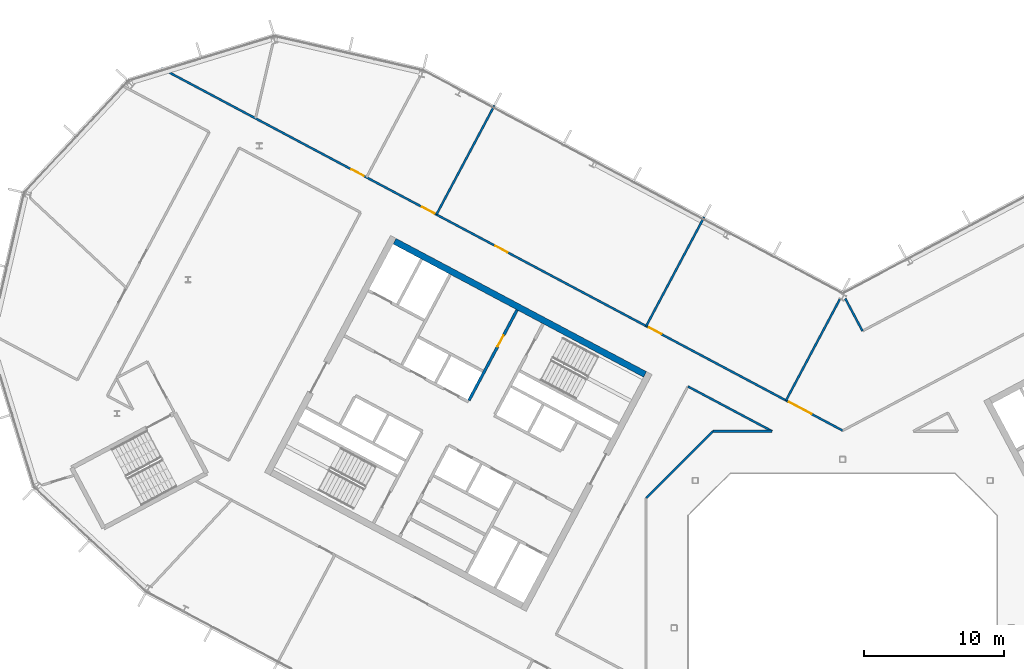
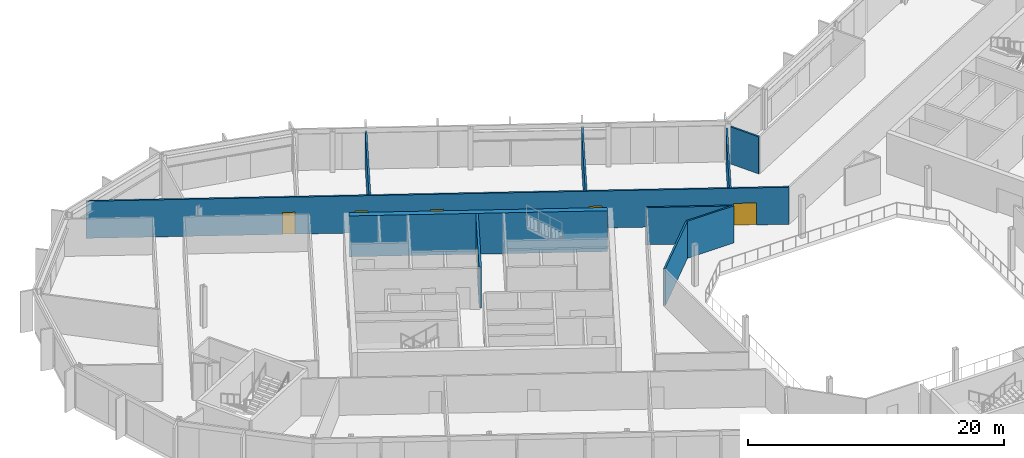
# One storey, part 15 of 26: 10 walls, 6 doors, 6 openings.
"""IFC4 building model written with IfcOpenShell, lengths in metres."""

from ifc_helpers import new_model, si_unit, direction, frame, frame_2d, origin, place, context, subcontext, project, spatial, rectangle, extrude, material, layer, layer_set, type_object, element, fill, save


model = new_model("IFC4")

# Units and contexts
model_context = context("Model", 3, precision=1e-05, world=origin(), true_north=direction((0.0, 1.0)))
body_context = subcontext(model_context, "Body", "Model", "MODEL_VIEW")
ifc_project = project(units=[si_unit("LENGTHUNIT", "METRE"), si_unit("AREAUNIT", "SQUARE_METRE"), si_unit("VOLUMEUNIT", "CUBIC_METRE"), si_unit("PLANEANGLEUNIT", "RADIAN"), si_unit("MASSUNIT", "GRAM", prefix="KILO")], contexts=[model_context])

# Site, building, storey
site_placement = place(None, origin())
site = spatial("IfcSite", under=ifc_project, at=site_placement, CompositionType="ELEMENT")
building_placement = place(site_placement, origin())
building = spatial("IfcBuilding", under=site, at=building_placement, Name="Cormorant Relay Tower", CompositionType="ELEMENT")
storey_placement = place(building_placement, frame((0.0, 0.0, 261.89990234375)))
storey = spatial("IfcBuildingStorey", under=building, at=storey_placement, Name="L58", CompositionType="ELEMENT", Elevation=261.89990234375)

# Wall, opening, door
ifc_material_1 = material(Name="Concrete 50 MPa", Category="concrete")
ifc_layer_1 = layer(ifc_material_1, 0.199951171875)
ifc_layer_set_1 = layer_set([ifc_layer_1], Name="Core shaft wall 200")
wall_type_1 = type_object("IfcWallType", Name="Core shaft wall 200", PredefinedType="SHEAR", material=ifc_layer_set_1)
wall_1_placement = place(storey_placement, frame((-23.1875, 22.635498046875, 0.0), z_axis=(0.0, 0.0, 1.0), x_axis=(-0.469454336211, -0.882956752176, 0.0)))
wall_1 = element("IfcWall", 1, at=wall_1_placement, inside=storey, type_object=wall_type_1, Name="L58 core A shaft wall", PredefinedType="SHEAR", context=body_context, shape_type="SweptSolid", body=[
    extrude(rectangle(XDim=7.300048828125, YDim=0.199951171875, at=frame_2d((3.64990234375, 0.0))), origin(), (0.0, 0.0, 1.0), 3.900146484375),
])
opening_1_placement = place(wall_1_placement, frame((2.050048828125, 0.0, 0.0)))
opening_1 = element("IfcOpeningElement", 2, at=opening_1_placement, cuts=wall_1, Name="Opening CDD-292", PredefinedType="OPENING", context=body_context, shape_type="SweptSolid", body=[
    extrude(rectangle(XDim=0.89990234375, YDim=2.10009765625, at=frame_2d((0.449951171875, 1.050048828125))), frame((0.0, 0.10986328125, 0.0), z_axis=(0.0, -1.0, 0.0), x_axis=(1.0, 0.0, 0.0)), (0.0, 0.0, 1.0), 0.219970703125),
])
ifc_material_2 = material(Name="Steel fire door", Category="steel")
door_type_1 = type_object("IfcDoorType", Name="Core room door 900x2100", OperationType="SINGLE_SWING_LEFT", PredefinedType="DOOR", material=ifc_material_2)
door_1_placement = place(opening_1_placement, origin())
door_1 = element("IfcDoor", 3, at=door_1_placement, inside=storey, type_object=door_type_1, Name="Core room door 900x2100", OperationType="SINGLE_SWING_LEFT", OverallHeight=2.10009765625, OverallWidth=0.89990234375, PredefinedType="DOOR", context=body_context, shape_type="SweptSolid", body=[
    extrude(rectangle(XDim=0.89990234375, YDim=2.10009765625, at=frame_2d((0.449951171875, 1.050048828125))), frame((0.0, 0.02490234375, 0.0), z_axis=(0.0, -1.0, 0.0), x_axis=(1.0, 0.0, 0.0)), (0.0, 0.0, 1.0), 0.050048828125),
])
fill(opening_1, door_1)

# Wall
ifc_material_3 = material(Name="Concrete 50 MPa", Category="concrete")
ifc_layer_2 = layer(ifc_material_3, 0.449951171875)
ifc_layer_set_2 = layer_set([ifc_layer_2], Name="Core wall 450")
wall_type_2 = type_object("IfcWallType", Name="Core wall 450", PredefinedType="SHEAR", material=ifc_layer_set_2)
wall_2_placement = place(storey_placement, frame((-14.07568359375, 18.04541015625, 0.0), z_axis=(0.0, 0.0, 1.0), x_axis=(-0.882947755831, 0.46947125628, 0.0)))
element("IfcWall", 4, at=wall_2_placement, inside=storey, type_object=wall_type_2, Name="L58 core A wall", PredefinedType="SHEAR", context=body_context, shape_type="SweptSolid", body=[
    extrude(rectangle(XDim=20.2001953125, YDim=0.449951171875, at=frame_2d((10.10009765625, 0.0))), origin(), (0.0, 0.0, 1.0), 3.900146484375),
])

# Wall, openings, doors
ifc_material_4 = material(Name="Gypsum board fire partition")
ifc_layer_3 = layer(ifc_material_4, 0.14990234375)
ifc_layer_set_3 = layer_set([ifc_layer_3], Name="Corridor partition 150 EI 60")
wall_type_3 = type_object("IfcWallType", Name="Corridor partition 150 EI 60", PredefinedType="PARTITIONING", material=ifc_layer_set_3)
wall_3_placement = place(storey_placement, frame((-48.541015625, 39.85400390625, 0.0), z_axis=(0.0, 0.0, 1.0), x_axis=(0.882945008423, -0.469476423372, 0.0)))
wall_3 = element("IfcWall", 5, at=wall_3_placement, inside=storey, type_object=wall_type_3, Name="wall/L58/part/008", PredefinedType="PARTITIONING", context=body_context, shape_type="SweptSolid", body=[
    extrude(rectangle(XDim=54.976318359375, YDim=0.14990234375, at=frame_2d((27.48828125, 0.0))), origin(), (0.0, 0.0, 1.0), 3.5400390625),
])
opening_2_placement = place(wall_3_placement, frame((50.64990234375, 0.0, 0.0)))
opening_2 = element("IfcOpeningElement", 6, at=opening_2_placement, cuts=wall_3, Name="Opening DD-036", PredefinedType="OPENING", context=body_context, shape_type="SweptSolid", body=[
    extrude(rectangle(XDim=1.800048828125, YDim=2.10009765625, at=frame_2d((0.89990234375, 1.050048828125))), frame((0.0, 0.0849609375, 0.0), z_axis=(0.0, -1.0, 0.0), x_axis=(1.0, 0.0, 0.0)), (0.0, 0.0, 1.0), 0.169921875),
])
opening_3_placement = place(wall_3_placement, frame((39.35009765625, 0.0, 0.0)))
opening_3 = element("IfcOpeningElement", 7, at=opening_3_placement, cuts=wall_3, Name="Opening DS-134", PredefinedType="OPENING", context=body_context, shape_type="SweptSolid", body=[
    extrude(rectangle(XDim=1.0, YDim=2.10009765625, at=frame_2d((0.5, 1.050048828125))), frame((0.0, 0.0849609375, 0.0), z_axis=(0.0, -1.0, 0.0), x_axis=(1.0, 0.0, 0.0)), (0.0, 0.0, 1.0), 0.169921875),
])
opening_4_placement = place(wall_3_placement, frame((26.949951171875, 0.0, 0.0)))
opening_4 = element("IfcOpeningElement", 8, at=opening_4_placement, cuts=wall_3, Name="Opening DS-210", PredefinedType="OPENING", context=body_context, shape_type="SweptSolid", body=[
    extrude(rectangle(XDim=1.0, YDim=2.10009765625, at=frame_2d((0.5, 1.050048828125))), frame((0.0, 0.0849609375, 0.0), z_axis=(0.0, -1.0, 0.0), x_axis=(1.0, 0.0, 0.0)), (0.0, 0.0, 1.0), 0.169921875),
])
opening_5_placement = place(wall_3_placement, frame((21.049072265625, 0.0, 0.0)))
opening_5 = element("IfcOpeningElement", 9, at=opening_5_placement, cuts=wall_3, Name="Opening DS-119", PredefinedType="OPENING", context=body_context, shape_type="SweptSolid", body=[
    extrude(rectangle(XDim=1.0, YDim=2.10009765625, at=frame_2d((0.5, 1.050048828125))), frame((0.0, 0.0849609375, 0.0), z_axis=(0.0, -1.0, 0.0), x_axis=(1.0, 0.0, 0.0)), (0.0, 0.0, 1.0), 0.169921875),
])
opening_6_placement = place(wall_3_placement, frame((15.35009765625, 0.0, 0.0)))
opening_6 = element("IfcOpeningElement", 10, at=opening_6_placement, cuts=wall_3, Name="Opening DS-120", PredefinedType="OPENING", context=body_context, shape_type="SweptSolid", body=[
    extrude(rectangle(XDim=1.0, YDim=2.10009765625, at=frame_2d((0.5, 1.050048828125))), frame((0.0, 0.0849609375, 0.0), z_axis=(0.0, -1.0, 0.0), x_axis=(1.0, 0.0, 0.0)), (0.0, 0.0, 1.0), 0.169921875),
])
ifc_material_5 = material(Name="Timber door leaf", Category="wood")
door_type_2 = type_object("IfcDoorType", Name="Suite door 1000x2100", OperationType="SINGLE_SWING_LEFT", PredefinedType="DOOR", material=ifc_material_5)
door_2_placement = place(opening_3_placement, origin())
door_2 = element("IfcDoor", 11, at=door_2_placement, inside=storey, type_object=door_type_2, Name="door/L58/014", OperationType="SINGLE_SWING_LEFT", OverallHeight=2.10009765625, OverallWidth=1.0, PredefinedType="DOOR", context=body_context, shape_type="SweptSolid", body=[
    extrude(rectangle(XDim=1.0, YDim=2.10009765625, at=frame_2d((0.5, 1.050048828125))), frame((0.0, 0.02490234375, 0.0), z_axis=(0.0, -1.0, 0.0), x_axis=(1.0, 0.0, 0.0)), (0.0, 0.0, 1.0), 0.050048828125),
])
fill(opening_3, door_2)
door_3_placement = place(opening_4_placement, origin())
door_3 = element("IfcDoor", 12, at=door_3_placement, inside=storey, type_object=door_type_2, Name="door/L58/015", OperationType="SINGLE_SWING_RIGHT", OverallHeight=2.10009765625, OverallWidth=1.0, PredefinedType="DOOR", context=body_context, shape_type="SweptSolid", body=[
    extrude(rectangle(XDim=1.0, YDim=2.10009765625, at=frame_2d((0.5, 1.050048828125))), frame((0.0, 0.02490234375, 0.0), z_axis=(0.0, -1.0, 0.0), x_axis=(1.0, 0.0, 0.0)), (0.0, 0.0, 1.0), 0.050048828125),
])
fill(opening_4, door_3)
door_4_placement = place(opening_5_placement, origin())
door_4 = element("IfcDoor", 13, at=door_4_placement, inside=storey, type_object=door_type_2, Name="door/L58/016", OperationType="SINGLE_SWING_RIGHT", OverallHeight=2.10009765625, OverallWidth=1.0, PredefinedType="DOOR", context=body_context, shape_type="SweptSolid", body=[
    extrude(rectangle(XDim=1.0, YDim=2.10009765625, at=frame_2d((0.5, 1.050048828125))), frame((0.0, 0.02490234375, 0.0), z_axis=(0.0, -1.0, 0.0), x_axis=(1.0, 0.0, 0.0)), (0.0, 0.0, 1.0), 0.050048828125),
])
fill(opening_5, door_4)
door_5_placement = place(opening_6_placement, origin())
door_5 = element("IfcDoor", 14, at=door_5_placement, inside=storey, type_object=door_type_2, Name="door/L58/017", OperationType="SINGLE_SWING_RIGHT", OverallHeight=2.10009765625, OverallWidth=1.0, PredefinedType="DOOR", context=body_context, shape_type="SweptSolid", body=[
    extrude(rectangle(XDim=1.0, YDim=2.10009765625, at=frame_2d((0.5, 1.050048828125))), frame((0.0, 0.02490234375, 0.0), z_axis=(0.0, -1.0, 0.0), x_axis=(1.0, 0.0, 0.0)), (0.0, 0.0, 1.0), 0.050048828125),
])
fill(opening_6, door_5)
ifc_material_6 = material(Name="Timber door leaf", Category="wood")
door_type_3 = type_object("IfcDoorType", Name="Suite double door 1800x2100", OperationType="DOUBLE_DOOR_SINGLE_SWING", PredefinedType="DOOR", material=ifc_material_6)
door_6_placement = place(opening_2_placement, origin())
door_6 = element("IfcDoor", 15, at=door_6_placement, inside=storey, type_object=door_type_3, Name="door/L58/013", OperationType="DOUBLE_DOOR_SINGLE_SWING", OverallHeight=2.10009765625, OverallWidth=1.800048828125, PredefinedType="DOOR", context=body_context, shape_type="SweptSolid", body=[
    extrude(rectangle(XDim=1.800048828125, YDim=2.10009765625, at=frame_2d((0.89990234375, 1.050048828125))), frame((0.0, 0.02490234375, 0.0), z_axis=(0.0, -1.0, 0.0), x_axis=(1.0, 0.0, 0.0)), (0.0, 0.0, 1.0), 0.050048828125),
])
fill(opening_2, door_6)

# Walls
wall_4_placement = place(storey_placement, frame((-11.02197265625, 17.18603515625, 0.0), z_axis=(0.0, 0.0, 1.0), x_axis=(0.882943783905, -0.469478726316, 0.0)))
element("IfcWall", 16, at=wall_4_placement, inside=storey, type_object=wall_type_3, Name="wall/L58/part/045", PredefinedType="PARTITIONING", context=body_context, shape_type="SweptSolid", body=[
    extrude(rectangle(XDim=6.786376953125, YDim=0.14990234375, at=frame_2d((3.39306640625, 0.0))), origin(), (0.0, 0.0, 1.0), 3.5400390625),
])
wall_5_placement = place(storey_placement, frame((-5.030029296875, 14.0, 0.0), z_axis=(0.0, 0.0, 1.0), x_axis=(-1.0, 0.0, 0.0)))
element("IfcWall", 17, at=wall_5_placement, inside=storey, type_object=wall_type_3, Name="wall/L58/part/046", PredefinedType="PARTITIONING", context=body_context, shape_type="SweptSolid", body=[
    extrude(rectangle(XDim=4.212890625, YDim=0.14990234375, at=frame_2d((2.1064453125, 0.0))), origin(), (0.0, 0.0, 1.0), 3.5400390625),
])
wall_6_placement = place(storey_placement, frame((-9.242919921875, 14.0, 0.0), z_axis=(0.0, 0.0, 1.0), x_axis=(-0.707106781187, -0.707106781187, 0.0)))
element("IfcWall", 18, at=wall_6_placement, inside=storey, type_object=wall_type_3, Name="wall/L58/part/047", PredefinedType="PARTITIONING", context=body_context, shape_type="SweptSolid", body=[
    extrude(rectangle(XDim=6.7275390625, YDim=0.14990234375, at=frame_2d((3.36376953125, 0.0))), origin(), (0.0, 0.0, 1.0), 3.5400390625),
])
ifc_material_7 = material(Name="Gypsum board partition")
ifc_layer_4 = layer(ifc_material_7, 0.14990234375)
ifc_layer_set_4 = layer_set([ifc_layer_4], Name="Tenant partition 150")
wall_type_4 = type_object("IfcWallType", Name="Tenant partition 150", PredefinedType="PARTITIONING", material=ifc_layer_set_4)
wall_7_placement = place(storey_placement, frame((-24.800048828125, 37.197021484375, 0.0), z_axis=(0.0, 0.0, 1.0), x_axis=(-0.469510830369, -0.882926712794, 0.0)))
element("IfcWall", 19, at=wall_7_placement, inside=storey, type_object=wall_type_4, Name="wall/L58/part/020", PredefinedType="PARTITIONING", context=body_context, shape_type="SweptSolid", body=[
    extrude(rectangle(XDim=8.80029296875, YDim=0.14990234375, at=frame_2d((4.400146484375, 0.0))), origin(), (0.0, 0.0, 1.0), 3.5400390625),
])
wall_8_placement = place(storey_placement, frame((-9.864013671875, 29.2548828125, 0.0), z_axis=(0.0, 0.0, 1.0), x_axis=(-0.469457446168, -0.882955098653, 0.0)))
element("IfcWall", 20, at=wall_8_placement, inside=storey, type_object=wall_type_4, Name="wall/L58/part/021", PredefinedType="PARTITIONING", context=body_context, shape_type="SweptSolid", body=[
    extrude(rectangle(XDim=8.7998046875, YDim=0.14990234375, at=frame_2d((4.39990234375, 0.0))), origin(), (0.0, 0.0, 1.0), 3.5400390625),
])
wall_9_placement = place(storey_placement, frame((-0.195068359375, 23.41796875, 0.0), z_axis=(0.0, 0.0, 1.0), x_axis=(-0.469409645302, -0.882980512184, 0.0)))
element("IfcWall", 21, at=wall_9_placement, inside=storey, type_object=wall_type_4, Name="wall/L58/part/026", PredefinedType="PARTITIONING", context=body_context, shape_type="SweptSolid", body=[
    extrude(rectangle(XDim=8.184814453125, YDim=0.14990234375, at=frame_2d((4.09228515625, 0.0))), origin(), (0.0, 0.0, 1.0), 3.5400390625),
])
wall_10_placement = place(storey_placement, frame((0.178955078125, 23.449951171875, 0.0), z_axis=(0.0, 0.0, 1.0), x_axis=(0.469359563697, -0.88300713472, 0.0)))
element("IfcWall", 22, at=wall_10_placement, inside=storey, type_object=wall_type_4, Name="wall/L58/part/029", PredefinedType="PARTITIONING", context=body_context, shape_type="SweptSolid", body=[
    extrude(rectangle(XDim=2.62060546875, YDim=0.14990234375, at=frame_2d((1.310302734375, 0.0))), origin(), (0.0, 0.0, 1.0), 3.5400390625),
])

save(model, "model.ifc")
